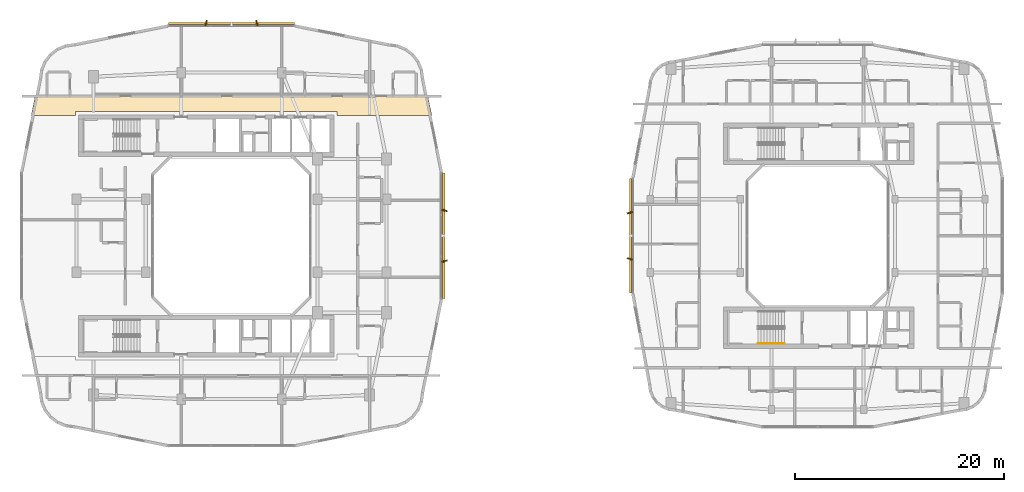
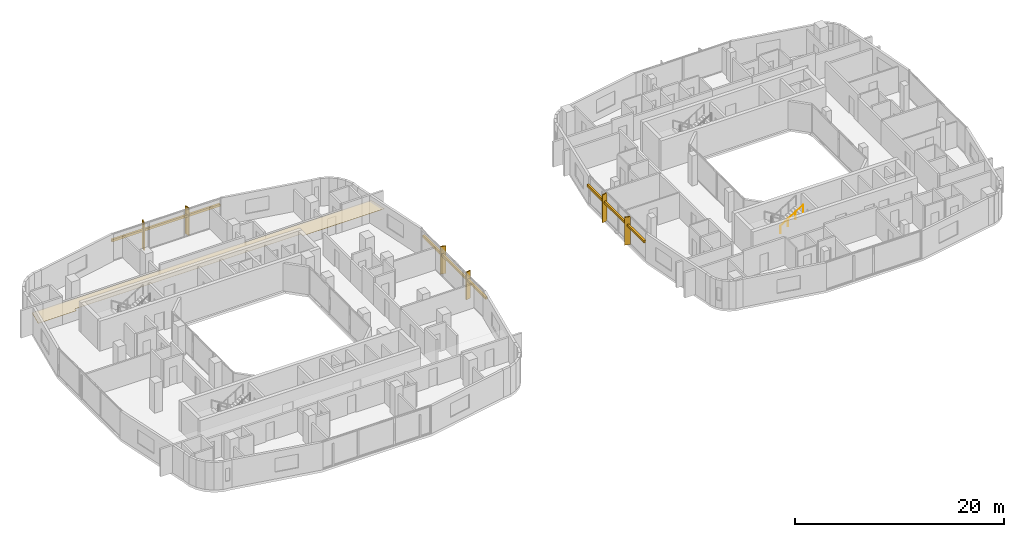
# One storey, part 25 of 26: 9 shading devices, 1 covering, 1 railing.
"""IFC4 building model written with IfcOpenShell, lengths in metres."""

import ifcopenshell
import ifcopenshell.guid

model = None  # the IFC model being written
_history = None  # IfcOwnerHistory: only IFC2X3 demands one
_inside = {}  # id of a spatial element -> (the spatial element, [elements in it])
_under = {}  # id of a project, library or spatial element -> (it, [spatial elements below it])
_declared = {}  # id of a project -> (the project, [libraries it declares])
_typed = {}  # id of a type object -> (the type object, [elements of that type])
_made_of = {}  # id of a material, layer set ... -> (it, [elements and type objects made of it])


def new_model(schema):
    """Start an empty IFC model of exactly this schema.

    Asked for "IFC4X3", IfcOpenShell would pick the latest addendum, in which some entities
    have other attributes; the version numbers below select the first issue.
    IFC2X3 requires an IfcOwnerHistory on every rooted entity: one is made here for all.
    """
    global model, _history
    if schema == "IFC4X3":
        model = ifcopenshell.file(schema_version=(4, 3, 0, 0))
    else:
        model = ifcopenshell.file(schema=schema)
    _inside.clear()
    _under.clear()
    _declared.clear()
    _typed.clear()
    _made_of.clear()
    _history = None
    if model.schema == "IFC2X3":
        org = make("IfcOrganization", Name="unknown")
        user = make(
            "IfcPersonAndOrganization",
            ThePerson=make("IfcPerson", FamilyName="unknown"),
            TheOrganization=org,
        )
        app = make(
            "IfcApplication",
            ApplicationDeveloper=org,
            Version="unknown",
            ApplicationFullName="unknown",
            ApplicationIdentifier="unknown",
        )
        _history = make(
            "IfcOwnerHistory",
            OwningUser=user,
            OwningApplication=app,
            ChangeAction="ADDED",
            CreationDate=0,
        )
    return model


def make(cls, **values):
    """One entity of the class cls with the attributes given. An attribute that is None is left unset."""
    return model.create_entity(
        cls, **{name: value for name, value in values.items() if value is not None}
    )


def rooted(cls, **values):
    """An entity with a GlobalId (a new one), such as an element, a storey or a relation."""
    return make(cls, GlobalId=ifcopenshell.guid.new(), OwnerHistory=_history, **values)


def si_unit(unit_type, name, prefix=None):
    """IfcSIUnit, for example si_unit("LENGTHUNIT", "METRE", prefix="MILLI")."""
    return make("IfcSIUnit", UnitType=unit_type, Prefix=prefix, Name=name)


def derived_unit(unit_type, elements):
    """IfcDerivedUnit: a product of units, each with its exponent."""
    return make(
        "IfcDerivedUnit",
        Elements=[
            make("IfcDerivedUnitElement", Unit=unit, Exponent=power)
            for unit, power in elements
        ],
        UnitType=unit_type,
    )


def assignment(units):
    """IfcUnitAssignment: the units of a project."""
    return None if units is None else make("IfcUnitAssignment", Units=units)


def point(xyz):
    """IfcCartesianPoint."""
    return None if xyz is None else make("IfcCartesianPoint", Coordinates=xyz)


def direction(xyz):
    """IfcDirection."""
    return None if xyz is None else make("IfcDirection", DirectionRatios=xyz)


def frame(location, z_axis=None, x_axis=None):
    """IfcAxis2Placement3D, a coordinate frame: its origin and axes. An axis left out is left unset."""
    return make(
        "IfcAxis2Placement3D",
        Location=point(location),
        Axis=direction(z_axis),
        RefDirection=direction(x_axis),
    )


def frame_2d(location, x_axis=None):
    """IfcAxis2Placement2D, a coordinate frame in the plane: its origin and x axis."""
    return make(
        "IfcAxis2Placement2D", Location=point(location), RefDirection=direction(x_axis)
    )


def origin():
    """The frame at (0, 0, 0) with its axes left unset."""
    return frame((0.0, 0.0, 0.0))


def origin_2d():
    """The frame at (0, 0) in the plane with its x axis left unset."""
    return frame_2d((0.0, 0.0))


def place(relative_to, where):
    """IfcLocalPlacement: puts the frame where relative to a parent placement (None: the world)."""
    return make(
        "IfcLocalPlacement", PlacementRelTo=relative_to, RelativePlacement=where
    )


def context(
    kind, dimensions, precision=None, world=None, true_north=None, identifier=None
):
    """IfcGeometricRepresentationContext, for example the 3D "Model" context."""
    return make(
        "IfcGeometricRepresentationContext",
        ContextIdentifier=identifier,
        ContextType=kind,
        CoordinateSpaceDimension=dimensions,
        Precision=precision,
        WorldCoordinateSystem=world,
        TrueNorth=true_north,
    )


def subcontext(parent, identifier, kind, view, scale=None):
    """IfcGeometricRepresentationSubContext, for example "Body" below "Model"."""
    return make(
        "IfcGeometricRepresentationSubContext",
        ContextIdentifier=identifier,
        ContextType=kind,
        ParentContext=parent,
        TargetScale=scale,
        TargetView=view,
    )


def project(units=None, contexts=None):
    """IfcProject with its units and contexts."""
    return rooted(
        "IfcProject",
        Name="project",
        RepresentationContexts=contexts,
        UnitsInContext=assignment(units),
    )


def spatial(cls, under=None, at=None, **own):
    """A site, building, storey or space (cls), placed at a placement, below another one or the project."""
    s = rooted(cls, ObjectPlacement=at, **own)
    if under is not None:
        _under.setdefault(under.id(), (under, []))[1].append(s)
    return s


def polyline(points):
    """IfcPolyline through the points."""
    return make("IfcPolyline", Points=[point(p) for p in points])


def profile(cls, at=None, kind="AREA", **sizes):
    """A parametric profile (cls). Its sizes go by their IFC names, for example OverallWidth=200.0."""
    return make(cls, ProfileType=kind, Position=at, **sizes)


def rectangle(**sizes):
    """IfcRectangleProfileDef."""
    return profile("IfcRectangleProfileDef", **sizes)


def circle(**sizes):
    """IfcCircleProfileDef."""
    return profile("IfcCircleProfileDef", **sizes)


def outline(outer, holes=None, kind="AREA"):
    """IfcArbitraryClosedProfileDef: a profile drawn as a closed curve; with holes, ...WithVoids."""
    if holes is None:
        return make("IfcArbitraryClosedProfileDef", ProfileType=kind, OuterCurve=outer)
    return make(
        "IfcArbitraryProfileDefWithVoids",
        ProfileType=kind,
        OuterCurve=outer,
        InnerCurves=holes,
    )


def extrude(swept, where, along, depth):
    """IfcExtrudedAreaSolid: the profile swept, set in the frame where, extruded along a direction by depth."""
    return make(
        "IfcExtrudedAreaSolid",
        SweptArea=swept,
        Position=where,
        ExtrudedDirection=direction(along),
        Depth=depth,
    )


def shape(context_of_items, identifier, shape_type, items):
    """IfcShapeRepresentation: the items that make up one representation, for example the "Body"."""
    return make(
        "IfcShapeRepresentation",
        ContextOfItems=context_of_items,
        RepresentationIdentifier=identifier,
        RepresentationType=shape_type,
        Items=items,
    )


def material(Name=None, Category=None):
    """IfcMaterial."""
    return make("IfcMaterial", Name=Name, Category=Category)


def layer(
    of_material, thickness, ventilated=None, Name=None, Category=None, Priority=None
):
    """IfcMaterialLayer: one layer of a wall or slab, of a material (None: an air gap)."""
    return make(
        "IfcMaterialLayer",
        Material=of_material,
        LayerThickness=thickness,
        IsVentilated=ventilated,
        Name=Name,
        Category=Category,
        Priority=Priority,
    )


def layer_set(layers, Name=None):
    """IfcMaterialLayerSet."""
    return make("IfcMaterialLayerSet", MaterialLayers=layers, LayerSetName=Name)


def made_of(thing, what):
    """Note that an element or type object is made of a material, layer set ...; save() writes the relation."""
    if what is not None:
        _made_of.setdefault(what.id(), (what, []))[1].append(thing)
    return thing


def type_object(cls, material=None, **own):
    """A type object (cls), such as IfcWallType, which elements share."""
    return made_of(rooted(cls, **own), material)


def element(
    cls,
    number,
    at=None,
    inside=None,
    cuts=None,
    type_object=None,
    material=None,
    context=None,
    identifier="Body",
    shape_type=None,
    held_by="IfcProductDefinitionShape",
    body=None,
    shapes=None,
    **own,
):
    """One element of the class cls, such as IfcWall. Its Tag is "e" and its number.

    at: its placement. inside: the storey or other place that contains it. cuts: it is an
    opening in that element (IfcRelVoidsElement). A single representation is given by context,
    identifier, shape_type and body (its items); several are given by shapes. held_by: the class
    of the entity that holds the representations. save() writes the other relations.
    """
    e = rooted(cls, Tag="e%d" % number, ObjectPlacement=at, **own)
    if body is not None:
        shapes = [shape(context, identifier, shape_type, body)]
    if shapes is not None:
        e.Representation = make(held_by, Representations=shapes)
    if inside is not None:
        _inside.setdefault(inside.id(), (inside, []))[1].append(e)
    if cuts is not None:
        rooted(
            "IfcRelVoidsElement", RelatingBuildingElement=cuts, RelatedOpeningElement=e
        )
    if type_object is not None:
        _typed.setdefault(type_object.id(), (type_object, []))[1].append(e)
    return made_of(e, material)


def aggregate(whole, parts):
    """IfcRelAggregates: a whole, such as a stair, and the parts it consists of."""
    return rooted("IfcRelAggregates", RelatingObject=whole, RelatedObjects=parts)


def save(model, path):
    """Write the relations noted so far, then the file.

    IfcRelAggregates (storeys below a building ...), IfcRelContainedInSpatialStructure (elements
    in a storey), IfcRelDefinesByType, IfcRelAssociatesMaterial and IfcRelDeclares: one each for
    every whole, place, type object, material and project.
    """
    for whole, parts in _under.values():
        aggregate(whole, parts)
    for where, things in _inside.values():
        rooted(
            "IfcRelContainedInSpatialStructure",
            RelatedElements=things,
            RelatingStructure=where,
        )
    for kind, things in _typed.values():
        rooted("IfcRelDefinesByType", RelatedObjects=things, RelatingType=kind)
    for what, things in _made_of.values():
        rooted("IfcRelAssociatesMaterial", RelatedObjects=things, RelatingMaterial=what)
    for by, libraries in _declared.values():
        rooted("IfcRelDeclares", RelatingContext=by, RelatedDefinitions=libraries)
    model.write(path)


model = new_model("IFC4")

# Units and contexts
model_context = context("Model", 3, precision=1e-05, world=origin(), true_north=direction((0.0, 1.0)))
body_context = subcontext(model_context, "Body", "Model", "MODEL_VIEW")
ifc_project = project(units=[si_unit("LENGTHUNIT", "METRE"), si_unit("AREAUNIT", "SQUARE_METRE"), si_unit("VOLUMEUNIT", "CUBIC_METRE"), si_unit("PLANEANGLEUNIT", "RADIAN"), si_unit("MASSUNIT", "GRAM", prefix="KILO"), derived_unit("THERMALTRANSMITTANCEUNIT", [(si_unit("POWERUNIT", "WATT"), 1), (si_unit("LENGTHUNIT", "METRE"), -2), (si_unit("THERMODYNAMICTEMPERATUREUNIT", "KELVIN"), -1)])], contexts=[model_context])

# Site, building, storey
site_placement = place(None, origin())
site = spatial("IfcSite", under=ifc_project, at=site_placement, CompositionType="ELEMENT")
building_placement = place(site_placement, origin())
building = spatial("IfcBuilding", under=site, at=building_placement, Name="Kivonza Crest Hotel", CompositionType="ELEMENT")
storey_placement = place(building_placement, frame((0.0, 0.0, 98.5)))
storey = spatial("IfcBuildingStorey", under=building, at=storey_placement, Name="L26", CompositionType="ELEMENT", Elevation=98.5)

# Covering
ifc_material_1 = material(Name="Mineral-fibre acoustic ceiling tile", Category="gypsum")
ifc_layer = layer(ifc_material_1, 0.02490234375)
ifc_layer_set = layer_set([ifc_layer], Name="Mineral-fibre acoustic ceiling tile")
covering_type = type_object("IfcCoveringType", Name="CV-CEIL-ACOU", PredefinedType="CEILING", material=ifc_layer_set)
covering_placement = place(storey_placement, frame((0.0, 0.0, 2.449951171875)))
element("IfcCovering", 1, at=covering_placement, inside=storey, type_object=covering_type, Name="L26 Hotel North Guest Corridor suspended ceiling", PredefinedType="CEILING", context=body_context, shape_type="SweptSolid", body=[
    extrude(outline(polyline([(2.235107421875, 38.389892578125), (1.85791015625, 36.52001953125), (6.10009765625, 36.52001953125), (6.10009765625, 36.860107421875), (31.10009765625, 36.860107421875), (31.10009765625, 36.52001953125), (40.14208984375, 36.52001953125), (39.764892578125, 38.389892578125), (2.235107421875, 38.389892578125)])), origin(), (0.0, 0.0, 1.0), 0.025146484375),
])

# Railing
ifc_material_2 = material(Name="Brushed stainless steel handrail", Category="steel")
railing_type = type_object("IfcRailingType", Name="RL-HAND-900", PredefinedType="HANDRAIL", material=ifc_material_2)
railing_placement = place(storey_placement, frame((71.320068359375, 14.7099609375, 1.925048828125)))
element("IfcRailing", 2, at=railing_placement, inside=storey, type_object=railing_type, Name="L26 ST-T2-S stair handrail 2", PredefinedType="HANDRAIL", context=body_context, shape_type="SweptSolid", body=[
    extrude(circle(Radius=0.02392578125, at=origin_2d()), frame((0.0, 0.0, 0.8759765625), z_axis=(0.848007534815, 0.0, 0.529984170421), x_axis=(0.0, 1.0, 0.0)), (0.0, 0.0, 1.0), 2.9716796875),
    extrude(circle(Radius=0.02099609375, at=origin_2d()), origin(), (0.0, 0.0, 1.0), 0.851806640625),
    extrude(circle(Radius=0.02099609375, at=origin_2d()), frame((0.840087890625, 0.0, 0.52490234375)), (0.0, 0.0, 1.0), 0.851806640625),
    extrude(circle(Radius=0.02099609375, at=origin_2d()), frame((1.679931640625, 0.0, 1.050048828125)), (0.0, 0.0, 1.0), 0.851806640625),
    extrude(circle(Radius=0.02099609375, at=origin_2d()), frame((2.52001953125, 0.0, 1.574951171875)), (0.0, 0.0, 1.0), 0.851806640625),
])

# Shading devices
ifc_material_3 = material(Name="Kiln-fired Nairobi red-ochre terracotta", Category="masonry")
shading_device_type_1 = type_object("IfcShadingDeviceType", Name="SH-BAGUETTE-300", PredefinedType="USERDEFINED", material=ifc_material_3)
for number, where, z_axis, x_axis, name in (
    (3, (41.280029296875, 25.0, 2.1240234375), (0.0, 0.0, 1.0), (0.0, 1.0, 0.0), "L26 terracotta baguette screen CW-T1-L26-17"),
    (4, (21.0, 45.280029296875, 2.1240234375), (0.0, 0.0, 1.0), (-1.0, 0.0, 0.0), "L26 terracotta baguette screen CW-T1-L26-26"),
):
    element("IfcShadingDevice", number, at=place(storey_placement, frame(where, z_axis=z_axis, x_axis=x_axis)), inside=storey, type_object=shading_device_type_1, Name=name, ObjectType="BAGUETTE", PredefinedType="USERDEFINED", context=body_context, shape_type="SweptSolid", body=[
        extrude(rectangle(XDim=12.0, YDim=0.219970703125, at=origin_2d()), origin(), (0.0, 0.0, 1.0), 0.260009765625),
    ])
shading_device_placement = place(storey_placement, frame((59.1201171875, 25.0, 2.14501953125), z_axis=(0.0, 0.0, 1.0), x_axis=(0.0, -1.0, 0.0)))
element("IfcShadingDevice", 5, at=shading_device_placement, inside=storey, type_object=shading_device_type_1, Name="L26 terracotta baguette screen CW-T2-L26-35", ObjectType="BAGUETTE", PredefinedType="USERDEFINED", context=body_context, shape_type="SweptSolid", body=[
    extrude(rectangle(XDim=10.919921875, YDim=0.219970703125, at=origin_2d()), origin(), (0.0, 0.0, 1.0), 0.260009765625),
])
ifc_material_4 = material(Name="Kiln-fired terracotta over extruded aluminium spine", Category="masonry")
shading_device_type_2 = type_object("IfcShadingDeviceType", Name="SH-FIN-550", PredefinedType="USERDEFINED", material=ifc_material_4)
for number, where, z_axis, x_axis, name in (
    (6, (41.340087890625, 22.575927734375, 0.0), (0.0, 0.0, 1.0), (-0.2419218956, 0.970295726276, 0.0), "L26 vertical solar shading fin CW-T1-L26-17-1"),
    (7, (41.340087890625, 27.424072265625, 0.0), (0.0, 0.0, 1.0), (0.2419218956, 0.970295726276, 0.0), "L26 vertical solar shading fin CW-T1-L26-17-2"),
    (8, (23.424072265625, 45.340087890625, 0.0), (0.0, 0.0, 1.0), (-0.970295726276, -0.2419218956, 0.0), "L26 vertical solar shading fin CW-T1-L26-26-1"),
    (9, (18.575927734375, 45.340087890625, 0.0), (0.0, 0.0, 1.0), (-0.970295726276, 0.2419218956, 0.0), "L26 vertical solar shading fin CW-T1-L26-26-2"),
):
    element("IfcShadingDevice", number, at=place(storey_placement, frame(where, z_axis=z_axis, x_axis=x_axis)), inside=storey, type_object=shading_device_type_2, Name=name, ObjectType="FIN", PredefinedType="USERDEFINED", context=body_context, shape_type="SweptSolid", body=[
        extrude(rectangle(XDim=0.1201171875, YDim=0.550048828125, at=origin_2d()), origin(), (0.0, 0.0, 1.0), 3.219970703125),
    ])
for number, where, z_axis, x_axis, name in (
    (10, (59.06005859375, 27.2080078125, 0.0), (0.0, 0.0, 1.0), (0.2419218956, -0.970295726276, 0.0), "L26 vertical solar shading fin CW-T2-L26-35-1"),
    (11, (59.06005859375, 22.7919921875, 0.0), (0.0, 0.0, 1.0), (-0.2419218956, -0.970295726276, 0.0), "L26 vertical solar shading fin CW-T2-L26-35-2"),
):
    element("IfcShadingDevice", number, at=place(storey_placement, frame(where, z_axis=z_axis, x_axis=x_axis)), inside=storey, type_object=shading_device_type_2, Name=name, ObjectType="FIN", PredefinedType="USERDEFINED", context=body_context, shape_type="SweptSolid", body=[
        extrude(rectangle(XDim=0.1201171875, YDim=0.550048828125, at=origin_2d()), origin(), (0.0, 0.0, 1.0), 3.25),
    ])

save(model, "model.ifc")
